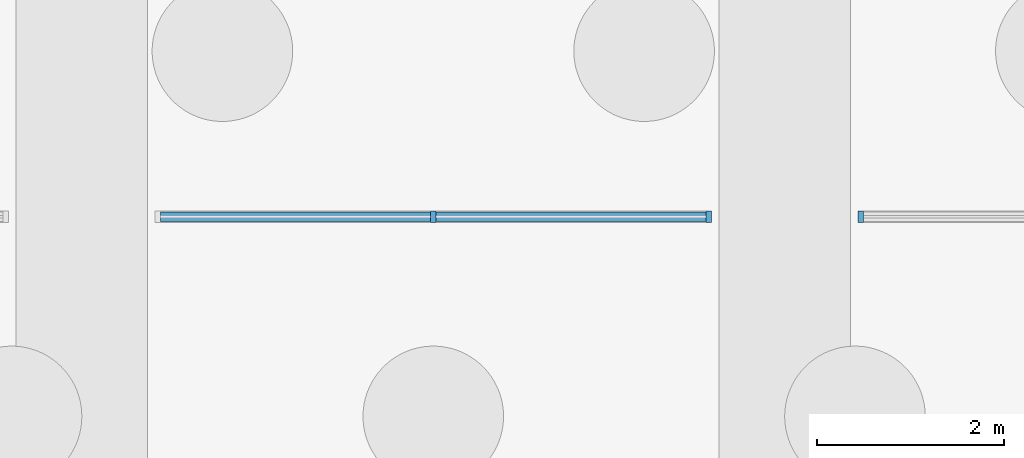
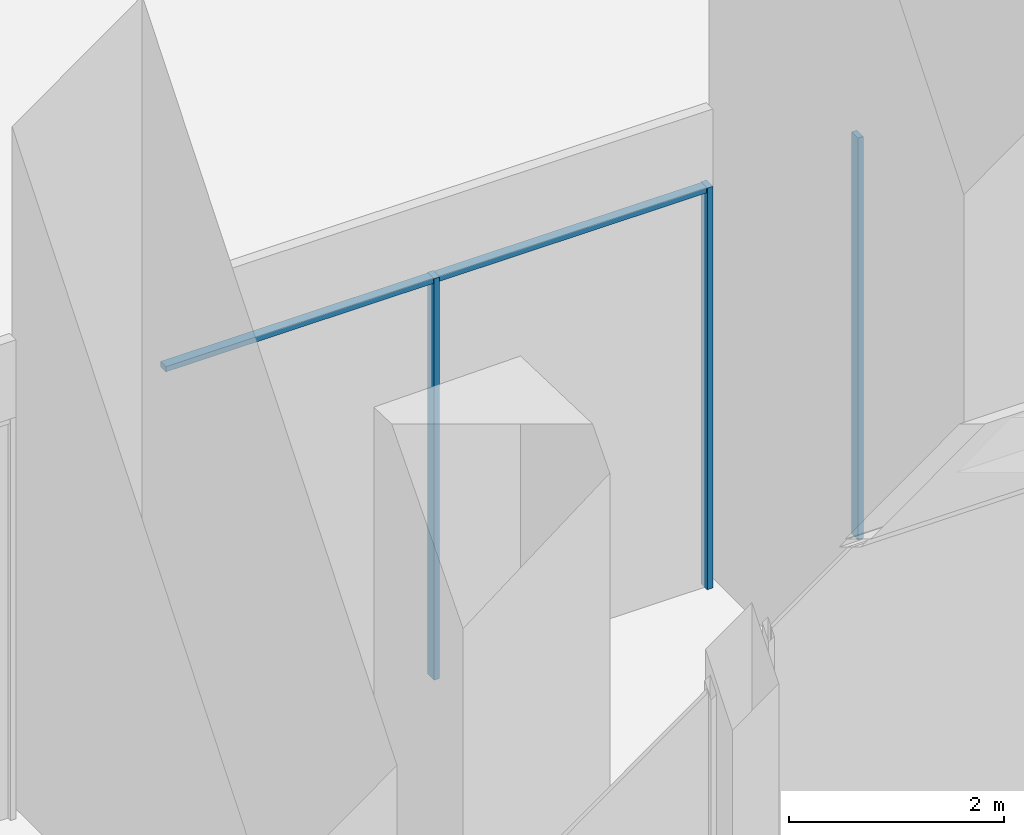
# One storey, part 12 of 46: 5 members, 2 elements without a shape of their own.
"""IFC4 building model written with IfcOpenShell, lengths in metres."""

from ifc_helpers import new_model, si_unit, direction, frame, origin, origin_2d, place, context, subcontext, project, spatial, rectangle, extrude, material, material_profile, profile_set, type_object, element, aggregate, save


model = new_model("IFC4")

# Units and contexts
model_context = context("Model", 3, precision=1e-05, world=origin(), true_north=direction((0.0, 1.0)))
body_context = subcontext(model_context, "Body", "Model", "MODEL_VIEW")
ifc_project = project(units=[si_unit("LENGTHUNIT", "METRE"), si_unit("AREAUNIT", "SQUARE_METRE"), si_unit("VOLUMEUNIT", "CUBIC_METRE"), si_unit("PLANEANGLEUNIT", "RADIAN"), si_unit("MASSUNIT", "GRAM", prefix="KILO")], contexts=[model_context])

# Site, building, storey
site_placement = place(None, origin())
site = spatial("IfcSite", under=ifc_project, at=site_placement, CompositionType="ELEMENT")
building_placement = place(site_placement, origin())
building = spatial("IfcBuilding", under=site, at=building_placement, Name="Mangrove Gate Tower", CompositionType="ELEMENT")
storey_placement = place(building_placement, origin())
storey = spatial("IfcBuildingStorey", under=building, at=storey_placement, Name="L00", CompositionType="ELEMENT", Elevation=0.0)

# Curtain wall, member
ifc_material_1 = material(Name="Aluminium and glass curtain wall", Category="aluminium")
curtain_wall_type = type_object("IfcCurtainWallType", Name="Podium shopfront glazing wall", PredefinedType="NOTDEFINED", material=ifc_material_1)
curtain_wall_1_placement = place(storey_placement, origin())
curtain_wall_1 = element("IfcCurtainWall", 1, at=curtain_wall_1_placement, inside=storey, type_object=curtain_wall_type, Name="Podium shopfront glazing N4015s1", PredefinedType="NOTDEFINED")
ifc_material_2 = material(Name="Aluminium alloy 6063-T6", Category="aluminium")
ifc_material_profile_1 = material_profile(ifc_material_2, rectangle(XDim=0.06005859375, YDim=0.1201171875, at=origin_2d()))
ifc_profile_set_1 = profile_set([ifc_material_profile_1], Name="Aluminium alloy 6063-T6")
member_type_1 = type_object("IfcMemberType", Name="Podium shopfront glazing mullion 60x120", PredefinedType="MULLION", material=ifc_profile_set_1)
member_1_placement = place(storey_placement, frame((-6.68994140625, -25.14990234375, 0.0), z_axis=(0.0, 0.0, 1.0), x_axis=(-1.0, 0.0, 0.0)))
member_1 = element("IfcMember", 2, at=member_1_placement, type_object=member_type_1, Name="CWS mullion 3", PredefinedType="MULLION", context=body_context, shape_type="SweptSolid", body=[
    extrude(rectangle(XDim=0.06005859375, YDim=0.1201171875, at=origin_2d()), origin(), (0.0, 0.0, 1.0), 4.570068359375),
])
aggregate(curtain_wall_1, [member_1])

# Curtain wall, members
curtain_wall_2_placement = place(storey_placement, origin())
curtain_wall_2 = element("IfcCurtainWall", 3, at=curtain_wall_2_placement, inside=storey, type_object=curtain_wall_type, Name="Podium shopfront glazing N4016s1", PredefinedType="NOTDEFINED")
member_2_placement = place(storey_placement, frame((-8.31005859375, -25.14990234375, 0.0), z_axis=(0.0, 0.0, 1.0), x_axis=(-1.0, 0.0, 0.0)))
member_2 = element("IfcMember", 4, at=member_2_placement, type_object=member_type_1, Name="CWS mullion 1", PredefinedType="MULLION", context=body_context, shape_type="SweptSolid", body=[
    extrude(rectangle(XDim=0.06005859375, YDim=0.1201171875, at=origin_2d()), origin(), (0.0, 0.0, 1.0), 4.570068359375),
])
member_3_placement = place(storey_placement, frame((-11.25, -25.14990234375, 0.0), z_axis=(0.0, 0.0, 1.0), x_axis=(-1.0, 0.0, 0.0)))
member_3 = element("IfcMember", 5, at=member_3_placement, type_object=member_type_1, Name="CWS mullion 2", PredefinedType="MULLION", context=body_context, shape_type="SweptSolid", body=[
    extrude(rectangle(XDim=0.06005859375, YDim=0.1201171875, at=origin_2d()), origin(), (0.0, 0.0, 1.0), 4.570068359375),
])
ifc_material_3 = material(Name="Aluminium alloy 6063-T6", Category="aluminium")
ifc_material_profile_2 = material_profile(ifc_material_3, rectangle(XDim=0.06005859375, YDim=0.10009765625, at=origin_2d()))
ifc_profile_set_2 = profile_set([ifc_material_profile_2], Name="Aluminium alloy 6063-T6")
member_type_2 = type_object("IfcMemberType", Name="Podium shopfront glazing transom 60x100", PredefinedType="USERDEFINED", material=ifc_profile_set_2)
member_4_placement = place(storey_placement, frame((-8.340087890625, -25.14990234375, 4.5400390625), z_axis=(-1.0, 0.0, 0.0), x_axis=(0.0, 0.0, 1.0)))
member_4 = element("IfcMember", 6, at=member_4_placement, type_object=member_type_2, Name="CWS transom 1.2", ObjectType="TRANSOM", PredefinedType="USERDEFINED", context=body_context, shape_type="SweptSolid", body=[
    extrude(rectangle(XDim=0.06005859375, YDim=0.10009765625, at=origin_2d()), origin(), (0.0, 0.0, 1.0), 2.8798828125),
])
member_5_placement = place(storey_placement, frame((-11.280029296875, -25.14990234375, 4.5400390625), z_axis=(-1.0, 0.0, 0.0), x_axis=(0.0, 0.0, 1.0)))
member_5 = element("IfcMember", 7, at=member_5_placement, type_object=member_type_2, Name="CWS transom 2.2", ObjectType="TRANSOM", PredefinedType="USERDEFINED", context=body_context, shape_type="SweptSolid", body=[
    extrude(rectangle(XDim=0.06005859375, YDim=0.10009765625, at=origin_2d()), origin(), (0.0, 0.0, 1.0), 2.8798828125),
])
aggregate(curtain_wall_2, [member_2, member_3, member_4, member_5])

save(model, "model.ifc")
